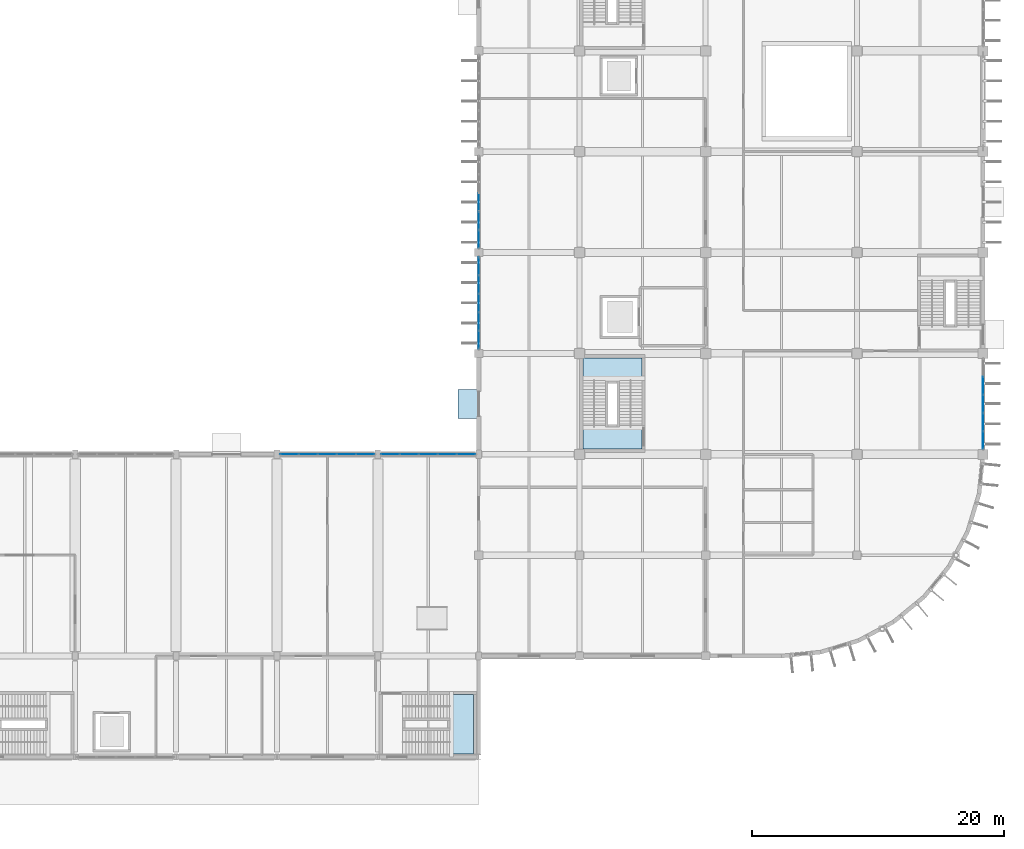
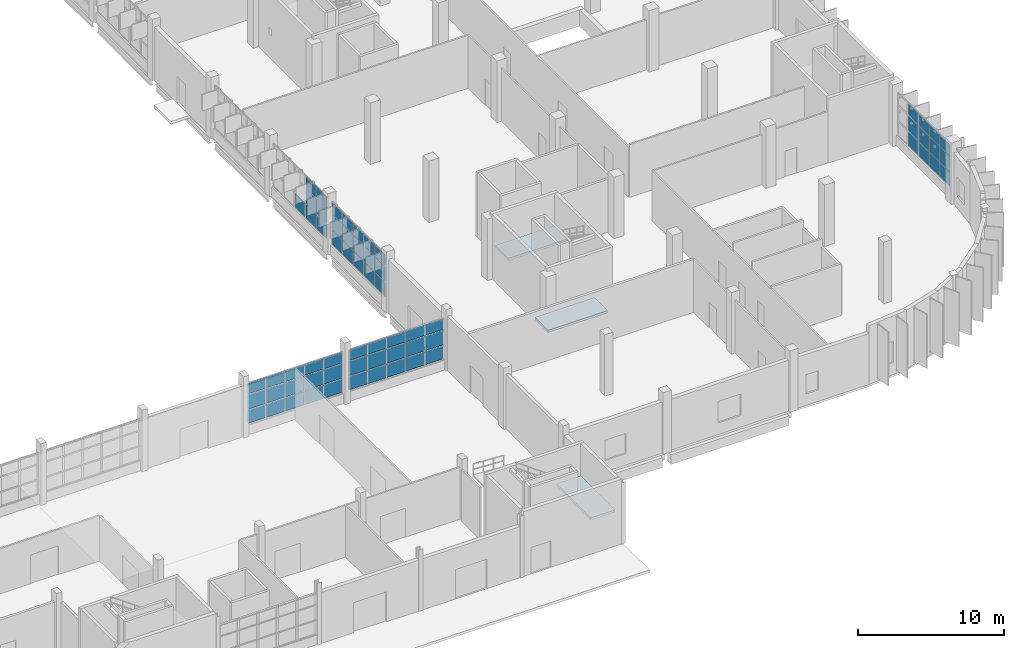
# One storey, part 62 of 103: 64 plates, 4 slabs, 7 elements without a shape of their own.
"""IFC4 building model written with IfcOpenShell, lengths in metres."""

import ifcopenshell
import ifcopenshell.guid

model = None  # the IFC model being written
_history = None  # IfcOwnerHistory: only IFC2X3 demands one
_inside = {}  # id of a spatial element -> (the spatial element, [elements in it])
_under = {}  # id of a project, library or spatial element -> (it, [spatial elements below it])
_declared = {}  # id of a project -> (the project, [libraries it declares])
_typed = {}  # id of a type object -> (the type object, [elements of that type])
_made_of = {}  # id of a material, layer set ... -> (it, [elements and type objects made of it])


def new_model(schema):
    """Start an empty IFC model of exactly this schema.

    Asked for "IFC4X3", IfcOpenShell would pick the latest addendum, in which some entities
    have other attributes; the version numbers below select the first issue.
    IFC2X3 requires an IfcOwnerHistory on every rooted entity: one is made here for all.
    """
    global model, _history
    if schema == "IFC4X3":
        model = ifcopenshell.file(schema_version=(4, 3, 0, 0))
    else:
        model = ifcopenshell.file(schema=schema)
    _inside.clear()
    _under.clear()
    _declared.clear()
    _typed.clear()
    _made_of.clear()
    _history = None
    if model.schema == "IFC2X3":
        org = make("IfcOrganization", Name="unknown")
        user = make(
            "IfcPersonAndOrganization",
            ThePerson=make("IfcPerson", FamilyName="unknown"),
            TheOrganization=org,
        )
        app = make(
            "IfcApplication",
            ApplicationDeveloper=org,
            Version="unknown",
            ApplicationFullName="unknown",
            ApplicationIdentifier="unknown",
        )
        _history = make(
            "IfcOwnerHistory",
            OwningUser=user,
            OwningApplication=app,
            ChangeAction="ADDED",
            CreationDate=0,
        )
    return model


def make(cls, **values):
    """One entity of the class cls with the attributes given. An attribute that is None is left unset."""
    return model.create_entity(
        cls, **{name: value for name, value in values.items() if value is not None}
    )


def rooted(cls, **values):
    """An entity with a GlobalId (a new one), such as an element, a storey or a relation."""
    return make(cls, GlobalId=ifcopenshell.guid.new(), OwnerHistory=_history, **values)


def si_unit(unit_type, name, prefix=None):
    """IfcSIUnit, for example si_unit("LENGTHUNIT", "METRE", prefix="MILLI")."""
    return make("IfcSIUnit", UnitType=unit_type, Prefix=prefix, Name=name)


def assignment(units):
    """IfcUnitAssignment: the units of a project."""
    return None if units is None else make("IfcUnitAssignment", Units=units)


def point(xyz):
    """IfcCartesianPoint."""
    return None if xyz is None else make("IfcCartesianPoint", Coordinates=xyz)


def direction(xyz):
    """IfcDirection."""
    return None if xyz is None else make("IfcDirection", DirectionRatios=xyz)


def frame(location, z_axis=None, x_axis=None):
    """IfcAxis2Placement3D, a coordinate frame: its origin and axes. An axis left out is left unset."""
    return make(
        "IfcAxis2Placement3D",
        Location=point(location),
        Axis=direction(z_axis),
        RefDirection=direction(x_axis),
    )


def frame_2d(location, x_axis=None):
    """IfcAxis2Placement2D, a coordinate frame in the plane: its origin and x axis."""
    return make(
        "IfcAxis2Placement2D", Location=point(location), RefDirection=direction(x_axis)
    )


def origin():
    """The frame at (0, 0, 0) with its axes left unset."""
    return frame((0.0, 0.0, 0.0))


def origin_2d():
    """The frame at (0, 0) in the plane with its x axis left unset."""
    return frame_2d((0.0, 0.0))


def place(relative_to, where):
    """IfcLocalPlacement: puts the frame where relative to a parent placement (None: the world)."""
    return make(
        "IfcLocalPlacement", PlacementRelTo=relative_to, RelativePlacement=where
    )


def context(
    kind, dimensions, precision=None, world=None, true_north=None, identifier=None
):
    """IfcGeometricRepresentationContext, for example the 3D "Model" context."""
    return make(
        "IfcGeometricRepresentationContext",
        ContextIdentifier=identifier,
        ContextType=kind,
        CoordinateSpaceDimension=dimensions,
        Precision=precision,
        WorldCoordinateSystem=world,
        TrueNorth=true_north,
    )


def subcontext(parent, identifier, kind, view, scale=None):
    """IfcGeometricRepresentationSubContext, for example "Body" below "Model"."""
    return make(
        "IfcGeometricRepresentationSubContext",
        ContextIdentifier=identifier,
        ContextType=kind,
        ParentContext=parent,
        TargetScale=scale,
        TargetView=view,
    )


def project(units=None, contexts=None):
    """IfcProject with its units and contexts."""
    return rooted(
        "IfcProject",
        Name="project",
        RepresentationContexts=contexts,
        UnitsInContext=assignment(units),
    )


def spatial(cls, under=None, at=None, **own):
    """A site, building, storey or space (cls), placed at a placement, below another one or the project."""
    s = rooted(cls, ObjectPlacement=at, **own)
    if under is not None:
        _under.setdefault(under.id(), (under, []))[1].append(s)
    return s


def polyline(points):
    """IfcPolyline through the points."""
    return make("IfcPolyline", Points=[point(p) for p in points])


def profile(cls, at=None, kind="AREA", **sizes):
    """A parametric profile (cls). Its sizes go by their IFC names, for example OverallWidth=200.0."""
    return make(cls, ProfileType=kind, Position=at, **sizes)


def rectangle(**sizes):
    """IfcRectangleProfileDef."""
    return profile("IfcRectangleProfileDef", **sizes)


def outline(outer, holes=None, kind="AREA"):
    """IfcArbitraryClosedProfileDef: a profile drawn as a closed curve; with holes, ...WithVoids."""
    if holes is None:
        return make("IfcArbitraryClosedProfileDef", ProfileType=kind, OuterCurve=outer)
    return make(
        "IfcArbitraryProfileDefWithVoids",
        ProfileType=kind,
        OuterCurve=outer,
        InnerCurves=holes,
    )


def extrude(swept, where, along, depth):
    """IfcExtrudedAreaSolid: the profile swept, set in the frame where, extruded along a direction by depth."""
    return make(
        "IfcExtrudedAreaSolid",
        SweptArea=swept,
        Position=where,
        ExtrudedDirection=direction(along),
        Depth=depth,
    )


def shape(context_of_items, identifier, shape_type, items):
    """IfcShapeRepresentation: the items that make up one representation, for example the "Body"."""
    return make(
        "IfcShapeRepresentation",
        ContextOfItems=context_of_items,
        RepresentationIdentifier=identifier,
        RepresentationType=shape_type,
        Items=items,
    )


def material(Name=None, Category=None):
    """IfcMaterial."""
    return make("IfcMaterial", Name=Name, Category=Category)


def layer(
    of_material, thickness, ventilated=None, Name=None, Category=None, Priority=None
):
    """IfcMaterialLayer: one layer of a wall or slab, of a material (None: an air gap)."""
    return make(
        "IfcMaterialLayer",
        Material=of_material,
        LayerThickness=thickness,
        IsVentilated=ventilated,
        Name=Name,
        Category=Category,
        Priority=Priority,
    )


def layer_set(layers, Name=None):
    """IfcMaterialLayerSet."""
    return make("IfcMaterialLayerSet", MaterialLayers=layers, LayerSetName=Name)


def made_of(thing, what):
    """Note that an element or type object is made of a material, layer set ...; save() writes the relation."""
    if what is not None:
        _made_of.setdefault(what.id(), (what, []))[1].append(thing)
    return thing


def type_object(cls, material=None, **own):
    """A type object (cls), such as IfcWallType, which elements share."""
    return made_of(rooted(cls, **own), material)


def element(
    cls,
    number,
    at=None,
    inside=None,
    cuts=None,
    type_object=None,
    material=None,
    context=None,
    identifier="Body",
    shape_type=None,
    held_by="IfcProductDefinitionShape",
    body=None,
    shapes=None,
    **own,
):
    """One element of the class cls, such as IfcWall. Its Tag is "e" and its number.

    at: its placement. inside: the storey or other place that contains it. cuts: it is an
    opening in that element (IfcRelVoidsElement). A single representation is given by context,
    identifier, shape_type and body (its items); several are given by shapes. held_by: the class
    of the entity that holds the representations. save() writes the other relations.
    """
    e = rooted(cls, Tag="e%d" % number, ObjectPlacement=at, **own)
    if body is not None:
        shapes = [shape(context, identifier, shape_type, body)]
    if shapes is not None:
        e.Representation = make(held_by, Representations=shapes)
    if inside is not None:
        _inside.setdefault(inside.id(), (inside, []))[1].append(e)
    if cuts is not None:
        rooted(
            "IfcRelVoidsElement", RelatingBuildingElement=cuts, RelatedOpeningElement=e
        )
    if type_object is not None:
        _typed.setdefault(type_object.id(), (type_object, []))[1].append(e)
    return made_of(e, material)


def aggregate(whole, parts):
    """IfcRelAggregates: a whole, such as a stair, and the parts it consists of."""
    return rooted("IfcRelAggregates", RelatingObject=whole, RelatedObjects=parts)


def save(model, path):
    """Write the relations noted so far, then the file.

    IfcRelAggregates (storeys below a building ...), IfcRelContainedInSpatialStructure (elements
    in a storey), IfcRelDefinesByType, IfcRelAssociatesMaterial and IfcRelDeclares: one each for
    every whole, place, type object, material and project.
    """
    for whole, parts in _under.values():
        aggregate(whole, parts)
    for where, things in _inside.values():
        rooted(
            "IfcRelContainedInSpatialStructure",
            RelatedElements=things,
            RelatingStructure=where,
        )
    for kind, things in _typed.values():
        rooted("IfcRelDefinesByType", RelatedObjects=things, RelatingType=kind)
    for what, things in _made_of.values():
        rooted("IfcRelAssociatesMaterial", RelatedObjects=things, RelatingMaterial=what)
    for by, libraries in _declared.values():
        rooted("IfcRelDeclares", RelatingContext=by, RelatedDefinitions=libraries)
    model.write(path)


model = new_model("IFC4")

# Units and contexts
model_context = context("Model", 3, precision=1e-05, world=origin(), true_north=direction((0.0, 1.0)))
body_context = subcontext(model_context, "Body", "Model", "MODEL_VIEW")
ifc_project = project(units=[si_unit("LENGTHUNIT", "METRE"), si_unit("AREAUNIT", "SQUARE_METRE"), si_unit("VOLUMEUNIT", "CUBIC_METRE"), si_unit("PLANEANGLEUNIT", "RADIAN"), si_unit("MASSUNIT", "GRAM", prefix="KILO")], contexts=[model_context])

# Site, building, storey
site_placement = place(None, origin())
site = spatial("IfcSite", under=ifc_project, at=site_placement, CompositionType="ELEMENT")
building_placement = place(site_placement, origin())
building = spatial("IfcBuilding", under=site, at=building_placement, Name="Drelvana Railside Aquatics Centre", CompositionType="ELEMENT")
storey_placement = place(building_placement, origin())
storey = spatial("IfcBuildingStorey", under=building, at=storey_placement, Name="L00", CompositionType="ELEMENT", Elevation=0.0)

# Curtain wall, plates
ifc_material_1 = material(Name="Bronze-anodised aluminium curtain wall", Category="aluminium")
ifc_layer_1 = layer(ifc_material_1, 0.1650390625, Name="Bronze-anodised aluminium curtain wall")
ifc_layer_set_1 = layer_set([ifc_layer_1], Name="Bronze-anodised aluminium curtain wall")
curtain_wall_type_1 = type_object("IfcCurtainWallType", Name="CW-Z5-COURT", PredefinedType="NOTDEFINED", material=ifc_layer_set_1)
curtain_wall_1_placement = place(storey_placement, origin())
curtain_wall_1 = element("IfcCurtainWall", 1, at=curtain_wall_1_placement, inside=storey, type_object=curtain_wall_type_1, Name="Curtain wall CW-05-111", PredefinedType="NOTDEFINED")
ifc_material_2 = material(Name="Double-glazed low-e solar-control glass", Category="glass")
ifc_layer_2 = layer(ifc_material_2, 0.02587890625, Name="Double-glazed low-e solar-control glass")
ifc_layer_set_2 = layer_set([ifc_layer_2], Name="Double-glazed low-e solar-control glass")
plate_type_1 = type_object("IfcPlateType", Name="CW-Z5-COURT-PAN", PredefinedType="CURTAIN_PANEL", material=ifc_layer_set_2)
plate_1_placement = place(storey_placement, frame((128.990234375, 24.0, 0.84912109375), z_axis=(0.0, 0.0, 1.0), x_axis=(1.0, 0.0, 0.0)))
plate_1 = element("IfcPlate", 2, at=plate_1_placement, type_object=plate_type_1, Name="CW-05 panel 1.1", PredefinedType="CURTAIN_PANEL", context=body_context, shape_type="SweptSolid", body=[
    extrude(rectangle(XDim=1.432373046875, YDim=0.02587890625, at=origin_2d()), origin(), (0.0, 0.0, 1.0), 1.1298828125),
])
plate_2_placement = place(storey_placement, frame((128.990234375, 24.0, 2.029052734375), z_axis=(0.0, 0.0, 1.0), x_axis=(1.0, 0.0, 0.0)))
plate_2 = element("IfcPlate", 3, at=plate_2_placement, type_object=plate_type_1, Name="CW-05 panel 1.2", PredefinedType="CURTAIN_PANEL", context=body_context, shape_type="SweptSolid", body=[
    extrude(rectangle(XDim=1.432373046875, YDim=0.02587890625, at=origin_2d()), origin(), (0.0, 0.0, 1.0), 1.22802734375),
])
plate_3_placement = place(storey_placement, frame((128.990234375, 24.0, 3.30712890625), z_axis=(0.0, 0.0, 1.0), x_axis=(1.0, 0.0, 0.0)))
plate_3 = element("IfcPlate", 4, at=plate_3_placement, type_object=plate_type_1, Name="CW-05 panel 1.3", PredefinedType="CURTAIN_PANEL", context=body_context, shape_type="SweptSolid", body=[
    extrude(rectangle(XDim=1.432373046875, YDim=0.02587890625, at=origin_2d()), origin(), (0.0, 0.0, 1.0), 0.887939453125),
])
plate_4_placement = place(storey_placement, frame((130.487548828125, 24.0, 0.84912109375), z_axis=(0.0, 0.0, 1.0), x_axis=(1.0, 0.0, 0.0)))
plate_4 = element("IfcPlate", 5, at=plate_4_placement, type_object=plate_type_1, Name="CW-05 panel 2.1", PredefinedType="CURTAIN_PANEL", context=body_context, shape_type="SweptSolid", body=[
    extrude(rectangle(XDim=1.46240234375, YDim=0.02587890625, at=origin_2d()), origin(), (0.0, 0.0, 1.0), 1.1298828125),
])
plate_5_placement = place(storey_placement, frame((130.487548828125, 24.0, 2.029052734375), z_axis=(0.0, 0.0, 1.0), x_axis=(1.0, 0.0, 0.0)))
plate_5 = element("IfcPlate", 6, at=plate_5_placement, type_object=plate_type_1, Name="CW-05 panel 2.2", PredefinedType="CURTAIN_PANEL", context=body_context, shape_type="SweptSolid", body=[
    extrude(rectangle(XDim=1.46240234375, YDim=0.02587890625, at=origin_2d()), origin(), (0.0, 0.0, 1.0), 1.22802734375),
])
plate_6_placement = place(storey_placement, frame((130.487548828125, 24.0, 3.30712890625), z_axis=(0.0, 0.0, 1.0), x_axis=(1.0, 0.0, 0.0)))
plate_6 = element("IfcPlate", 7, at=plate_6_placement, type_object=plate_type_1, Name="CW-05 panel 2.3", PredefinedType="CURTAIN_PANEL", context=body_context, shape_type="SweptSolid", body=[
    extrude(rectangle(XDim=1.46240234375, YDim=0.02587890625, at=origin_2d()), origin(), (0.0, 0.0, 1.0), 0.887939453125),
])
plate_7_placement = place(storey_placement, frame((132.0, 24.0, 0.84912109375), z_axis=(0.0, 0.0, 1.0), x_axis=(1.0, 0.0, 0.0)))
plate_7 = element("IfcPlate", 8, at=plate_7_placement, type_object=plate_type_1, Name="CW-05 panel 3.1", PredefinedType="CURTAIN_PANEL", context=body_context, shape_type="SweptSolid", body=[
    extrude(rectangle(XDim=1.46240234375, YDim=0.02587890625, at=origin_2d()), origin(), (0.0, 0.0, 1.0), 1.1298828125),
])
plate_8_placement = place(storey_placement, frame((132.0, 24.0, 2.029052734375), z_axis=(0.0, 0.0, 1.0), x_axis=(1.0, 0.0, 0.0)))
plate_8 = element("IfcPlate", 9, at=plate_8_placement, type_object=plate_type_1, Name="CW-05 panel 3.2", PredefinedType="CURTAIN_PANEL", context=body_context, shape_type="SweptSolid", body=[
    extrude(rectangle(XDim=1.46240234375, YDim=0.02587890625, at=origin_2d()), origin(), (0.0, 0.0, 1.0), 1.22802734375),
])
plate_9_placement = place(storey_placement, frame((132.0, 24.0, 3.30712890625), z_axis=(0.0, 0.0, 1.0), x_axis=(1.0, 0.0, 0.0)))
plate_9 = element("IfcPlate", 10, at=plate_9_placement, type_object=plate_type_1, Name="CW-05 panel 3.3", PredefinedType="CURTAIN_PANEL", context=body_context, shape_type="SweptSolid", body=[
    extrude(rectangle(XDim=1.46240234375, YDim=0.02587890625, at=origin_2d()), origin(), (0.0, 0.0, 1.0), 0.887939453125),
])
plate_10_placement = place(storey_placement, frame((133.512451171875, 24.0, 0.84912109375), z_axis=(0.0, 0.0, 1.0), x_axis=(1.0, 0.0, 0.0)))
plate_10 = element("IfcPlate", 11, at=plate_10_placement, type_object=plate_type_1, Name="CW-05 panel 4.1", PredefinedType="CURTAIN_PANEL", context=body_context, shape_type="SweptSolid", body=[
    extrude(rectangle(XDim=1.46240234375, YDim=0.02587890625, at=origin_2d()), origin(), (0.0, 0.0, 1.0), 1.1298828125),
])
plate_11_placement = place(storey_placement, frame((133.512451171875, 24.0, 2.029052734375), z_axis=(0.0, 0.0, 1.0), x_axis=(1.0, 0.0, 0.0)))
plate_11 = element("IfcPlate", 12, at=plate_11_placement, type_object=plate_type_1, Name="CW-05 panel 4.2", PredefinedType="CURTAIN_PANEL", context=body_context, shape_type="SweptSolid", body=[
    extrude(rectangle(XDim=1.46240234375, YDim=0.02587890625, at=origin_2d()), origin(), (0.0, 0.0, 1.0), 1.22802734375),
])
plate_12_placement = place(storey_placement, frame((133.512451171875, 24.0, 3.30712890625), z_axis=(0.0, 0.0, 1.0), x_axis=(1.0, 0.0, 0.0)))
plate_12 = element("IfcPlate", 13, at=plate_12_placement, type_object=plate_type_1, Name="CW-05 panel 4.3", PredefinedType="CURTAIN_PANEL", context=body_context, shape_type="SweptSolid", body=[
    extrude(rectangle(XDim=1.46240234375, YDim=0.02587890625, at=origin_2d()), origin(), (0.0, 0.0, 1.0), 0.887939453125),
])
plate_13_placement = place(storey_placement, frame((135.009765625, 24.0, 0.84912109375), z_axis=(0.0, 0.0, 1.0), x_axis=(1.0, 0.0, 0.0)))
plate_13 = element("IfcPlate", 14, at=plate_13_placement, type_object=plate_type_1, Name="CW-05 panel 5.1", PredefinedType="CURTAIN_PANEL", context=body_context, shape_type="SweptSolid", body=[
    extrude(rectangle(XDim=1.432373046875, YDim=0.02587890625, at=origin_2d()), origin(), (0.0, 0.0, 1.0), 1.1298828125),
])
plate_14_placement = place(storey_placement, frame((135.009765625, 24.0, 2.029052734375), z_axis=(0.0, 0.0, 1.0), x_axis=(1.0, 0.0, 0.0)))
plate_14 = element("IfcPlate", 15, at=plate_14_placement, type_object=plate_type_1, Name="CW-05 panel 5.2", PredefinedType="CURTAIN_PANEL", context=body_context, shape_type="SweptSolid", body=[
    extrude(rectangle(XDim=1.432373046875, YDim=0.02587890625, at=origin_2d()), origin(), (0.0, 0.0, 1.0), 1.22802734375),
])
plate_15_placement = place(storey_placement, frame((135.009765625, 24.0, 3.30712890625), z_axis=(0.0, 0.0, 1.0), x_axis=(1.0, 0.0, 0.0)))
plate_15 = element("IfcPlate", 16, at=plate_15_placement, type_object=plate_type_1, Name="CW-05 panel 5.3", PredefinedType="CURTAIN_PANEL", context=body_context, shape_type="SweptSolid", body=[
    extrude(rectangle(XDim=1.432373046875, YDim=0.02587890625, at=origin_2d()), origin(), (0.0, 0.0, 1.0), 0.887939453125),
])
aggregate(curtain_wall_1, [plate_1, plate_2, plate_3, plate_4, plate_5, plate_6, plate_7, plate_8, plate_9, plate_10, plate_11, plate_12, plate_13, plate_14, plate_15])

curtain_wall_2_placement = place(storey_placement, origin())
curtain_wall_2 = element("IfcCurtainWall", 17, at=curtain_wall_2_placement, inside=storey, type_object=curtain_wall_type_1, Name="Curtain wall CW-05-113", PredefinedType="NOTDEFINED")
plate_16_placement = place(storey_placement, frame((136.990234375, 24.0, 0.84912109375), z_axis=(0.0, 0.0, 1.0), x_axis=(1.0, 0.0, 0.0)))
plate_16 = element("IfcPlate", 18, at=plate_16_placement, type_object=plate_type_1, Name="CW-05 panel 1.1", PredefinedType="CURTAIN_PANEL", context=body_context, shape_type="SweptSolid", body=[
    extrude(rectangle(XDim=1.432373046875, YDim=0.02587890625, at=origin_2d()), origin(), (0.0, 0.0, 1.0), 1.1298828125),
])
plate_17_placement = place(storey_placement, frame((136.990234375, 24.0, 2.029052734375), z_axis=(0.0, 0.0, 1.0), x_axis=(1.0, 0.0, 0.0)))
plate_17 = element("IfcPlate", 19, at=plate_17_placement, type_object=plate_type_1, Name="CW-05 panel 1.2", PredefinedType="CURTAIN_PANEL", context=body_context, shape_type="SweptSolid", body=[
    extrude(rectangle(XDim=1.432373046875, YDim=0.02587890625, at=origin_2d()), origin(), (0.0, 0.0, 1.0), 1.22802734375),
])
plate_18_placement = place(storey_placement, frame((136.990234375, 24.0, 3.30712890625), z_axis=(0.0, 0.0, 1.0), x_axis=(1.0, 0.0, 0.0)))
plate_18 = element("IfcPlate", 20, at=plate_18_placement, type_object=plate_type_1, Name="CW-05 panel 1.3", PredefinedType="CURTAIN_PANEL", context=body_context, shape_type="SweptSolid", body=[
    extrude(rectangle(XDim=1.432373046875, YDim=0.02587890625, at=origin_2d()), origin(), (0.0, 0.0, 1.0), 0.887939453125),
])
plate_19_placement = place(storey_placement, frame((138.487548828125, 24.0, 0.84912109375), z_axis=(0.0, 0.0, 1.0), x_axis=(1.0, 0.0, 0.0)))
plate_19 = element("IfcPlate", 21, at=plate_19_placement, type_object=plate_type_1, Name="CW-05 panel 2.1", PredefinedType="CURTAIN_PANEL", context=body_context, shape_type="SweptSolid", body=[
    extrude(rectangle(XDim=1.46240234375, YDim=0.02587890625, at=origin_2d()), origin(), (0.0, 0.0, 1.0), 1.1298828125),
])
plate_20_placement = place(storey_placement, frame((138.487548828125, 24.0, 2.029052734375), z_axis=(0.0, 0.0, 1.0), x_axis=(1.0, 0.0, 0.0)))
plate_20 = element("IfcPlate", 22, at=plate_20_placement, type_object=plate_type_1, Name="CW-05 panel 2.2", PredefinedType="CURTAIN_PANEL", context=body_context, shape_type="SweptSolid", body=[
    extrude(rectangle(XDim=1.46240234375, YDim=0.02587890625, at=origin_2d()), origin(), (0.0, 0.0, 1.0), 1.22802734375),
])
plate_21_placement = place(storey_placement, frame((138.487548828125, 24.0, 3.30712890625), z_axis=(0.0, 0.0, 1.0), x_axis=(1.0, 0.0, 0.0)))
plate_21 = element("IfcPlate", 23, at=plate_21_placement, type_object=plate_type_1, Name="CW-05 panel 2.3", PredefinedType="CURTAIN_PANEL", context=body_context, shape_type="SweptSolid", body=[
    extrude(rectangle(XDim=1.46240234375, YDim=0.02587890625, at=origin_2d()), origin(), (0.0, 0.0, 1.0), 0.887939453125),
])
plate_22_placement = place(storey_placement, frame((140.0, 24.0, 0.84912109375), z_axis=(0.0, 0.0, 1.0), x_axis=(1.0, 0.0, 0.0)))
plate_22 = element("IfcPlate", 24, at=plate_22_placement, type_object=plate_type_1, Name="CW-05 panel 3.1", PredefinedType="CURTAIN_PANEL", context=body_context, shape_type="SweptSolid", body=[
    extrude(rectangle(XDim=1.46240234375, YDim=0.02587890625, at=origin_2d()), origin(), (0.0, 0.0, 1.0), 1.1298828125),
])
plate_23_placement = place(storey_placement, frame((140.0, 24.0, 2.029052734375), z_axis=(0.0, 0.0, 1.0), x_axis=(1.0, 0.0, 0.0)))
plate_23 = element("IfcPlate", 25, at=plate_23_placement, type_object=plate_type_1, Name="CW-05 panel 3.2", PredefinedType="CURTAIN_PANEL", context=body_context, shape_type="SweptSolid", body=[
    extrude(rectangle(XDim=1.46240234375, YDim=0.02587890625, at=origin_2d()), origin(), (0.0, 0.0, 1.0), 1.22802734375),
])
plate_24_placement = place(storey_placement, frame((140.0, 24.0, 3.30712890625), z_axis=(0.0, 0.0, 1.0), x_axis=(1.0, 0.0, 0.0)))
plate_24 = element("IfcPlate", 26, at=plate_24_placement, type_object=plate_type_1, Name="CW-05 panel 3.3", PredefinedType="CURTAIN_PANEL", context=body_context, shape_type="SweptSolid", body=[
    extrude(rectangle(XDim=1.46240234375, YDim=0.02587890625, at=origin_2d()), origin(), (0.0, 0.0, 1.0), 0.887939453125),
])
plate_25_placement = place(storey_placement, frame((141.512451171875, 24.0, 0.84912109375), z_axis=(0.0, 0.0, 1.0), x_axis=(1.0, 0.0, 0.0)))
plate_25 = element("IfcPlate", 27, at=plate_25_placement, type_object=plate_type_1, Name="CW-05 panel 4.1", PredefinedType="CURTAIN_PANEL", context=body_context, shape_type="SweptSolid", body=[
    extrude(rectangle(XDim=1.46240234375, YDim=0.02587890625, at=origin_2d()), origin(), (0.0, 0.0, 1.0), 1.1298828125),
])
plate_26_placement = place(storey_placement, frame((141.512451171875, 24.0, 2.029052734375), z_axis=(0.0, 0.0, 1.0), x_axis=(1.0, 0.0, 0.0)))
plate_26 = element("IfcPlate", 28, at=plate_26_placement, type_object=plate_type_1, Name="CW-05 panel 4.2", PredefinedType="CURTAIN_PANEL", context=body_context, shape_type="SweptSolid", body=[
    extrude(rectangle(XDim=1.46240234375, YDim=0.02587890625, at=origin_2d()), origin(), (0.0, 0.0, 1.0), 1.22802734375),
])
plate_27_placement = place(storey_placement, frame((141.512451171875, 24.0, 3.30712890625), z_axis=(0.0, 0.0, 1.0), x_axis=(1.0, 0.0, 0.0)))
plate_27 = element("IfcPlate", 29, at=plate_27_placement, type_object=plate_type_1, Name="CW-05 panel 4.3", PredefinedType="CURTAIN_PANEL", context=body_context, shape_type="SweptSolid", body=[
    extrude(rectangle(XDim=1.46240234375, YDim=0.02587890625, at=origin_2d()), origin(), (0.0, 0.0, 1.0), 0.887939453125),
])
plate_28_placement = place(storey_placement, frame((143.009765625, 24.0, 0.84912109375), z_axis=(0.0, 0.0, 1.0), x_axis=(1.0, 0.0, 0.0)))
plate_28 = element("IfcPlate", 30, at=plate_28_placement, type_object=plate_type_1, Name="CW-05 panel 5.1", PredefinedType="CURTAIN_PANEL", context=body_context, shape_type="SweptSolid", body=[
    extrude(rectangle(XDim=1.432373046875, YDim=0.02587890625, at=origin_2d()), origin(), (0.0, 0.0, 1.0), 1.1298828125),
])
plate_29_placement = place(storey_placement, frame((143.009765625, 24.0, 2.029052734375), z_axis=(0.0, 0.0, 1.0), x_axis=(1.0, 0.0, 0.0)))
plate_29 = element("IfcPlate", 31, at=plate_29_placement, type_object=plate_type_1, Name="CW-05 panel 5.2", PredefinedType="CURTAIN_PANEL", context=body_context, shape_type="SweptSolid", body=[
    extrude(rectangle(XDim=1.432373046875, YDim=0.02587890625, at=origin_2d()), origin(), (0.0, 0.0, 1.0), 1.22802734375),
])
plate_30_placement = place(storey_placement, frame((143.009765625, 24.0, 3.30712890625), z_axis=(0.0, 0.0, 1.0), x_axis=(1.0, 0.0, 0.0)))
plate_30 = element("IfcPlate", 32, at=plate_30_placement, type_object=plate_type_1, Name="CW-05 panel 5.3", PredefinedType="CURTAIN_PANEL", context=body_context, shape_type="SweptSolid", body=[
    extrude(rectangle(XDim=1.432373046875, YDim=0.02587890625, at=origin_2d()), origin(), (0.0, 0.0, 1.0), 0.887939453125),
])
aggregate(curtain_wall_2, [plate_16, plate_17, plate_18, plate_19, plate_20, plate_21, plate_22, plate_23, plate_24, plate_25, plate_26, plate_27, plate_28, plate_29, plate_30])

ifc_layer_3 = layer(ifc_material_1, 0.175048828125, Name="Bronze-anodised aluminium curtain wall")
ifc_layer_set_3 = layer_set([ifc_layer_3], Name="Bronze-anodised aluminium curtain wall")
curtain_wall_type_2 = type_object("IfcCurtainWallType", Name="CW-Z6-WING", PredefinedType="NOTDEFINED", material=ifc_layer_set_3)
curtain_wall_3_placement = place(storey_placement, origin())
curtain_wall_3 = element("IfcCurtainWall", 33, at=curtain_wall_3_placement, inside=storey, type_object=curtain_wall_type_2, Name="Curtain wall CW-06-140", PredefinedType="NOTDEFINED")
ifc_layer_4 = layer(ifc_material_2, 0.02392578125, Name="Double-glazed low-e solar-control glass")
ifc_layer_set_4 = layer_set([ifc_layer_4], Name="Double-glazed low-e solar-control glass")
plate_type_2 = type_object("IfcPlateType", Name="CW-Z6-WING-PAN", PredefinedType="CURTAIN_PANEL", material=ifc_layer_set_4)
plate_31_placement = place(storey_placement, frame((144.0, 33.071533203125, 0.84912109375), z_axis=(0.0, 0.0, 1.0), x_axis=(0.0, 1.0, 0.0)))
plate_31 = element("IfcPlate", 34, at=plate_31_placement, type_object=plate_type_2, Name="CW-06 panel 1.1", PredefinedType="CURTAIN_PANEL", context=body_context, shape_type="SweptSolid", body=[
    extrude(rectangle(XDim=1.385009765625, YDim=0.02392578125, at=origin_2d()), origin(), (0.0, 0.0, 1.0), 1.181884765625),
])
plate_32_placement = place(storey_placement, frame((144.0, 33.071533203125, 2.0810546875), z_axis=(0.0, 0.0, 1.0), x_axis=(0.0, 1.0, 0.0)))
plate_32 = element("IfcPlate", 35, at=plate_32_placement, type_object=plate_type_2, Name="CW-06 panel 1.2", PredefinedType="CURTAIN_PANEL", context=body_context, shape_type="SweptSolid", body=[
    extrude(rectangle(XDim=1.385009765625, YDim=0.02392578125, at=origin_2d()), origin(), (0.0, 0.0, 1.0), 1.283935546875),
])
plate_33_placement = place(storey_placement, frame((144.0, 33.071533203125, 3.4150390625), z_axis=(0.0, 0.0, 1.0), x_axis=(0.0, 1.0, 0.0)))
plate_33 = element("IfcPlate", 36, at=plate_33_placement, type_object=plate_type_2, Name="CW-06 panel 1.3", PredefinedType="CURTAIN_PANEL", context=body_context, shape_type="SweptSolid", body=[
    extrude(rectangle(XDim=1.385009765625, YDim=0.02392578125, at=origin_2d()), origin(), (0.0, 0.0, 1.0), 0.929931640625),
])
plate_34_placement = place(storey_placement, frame((144.0, 34.527587890625, 0.84912109375), z_axis=(0.0, 0.0, 1.0), x_axis=(0.0, 1.0, 0.0)))
plate_34 = element("IfcPlate", 37, at=plate_34_placement, type_object=plate_type_2, Name="CW-06 panel 2.1", PredefinedType="CURTAIN_PANEL", context=body_context, shape_type="SweptSolid", body=[
    extrude(rectangle(XDim=1.41748046875, YDim=0.02392578125, at=origin_2d()), origin(), (0.0, 0.0, 1.0), 1.181884765625),
])
plate_35_placement = place(storey_placement, frame((144.0, 34.527587890625, 2.0810546875), z_axis=(0.0, 0.0, 1.0), x_axis=(0.0, 1.0, 0.0)))
plate_35 = element("IfcPlate", 38, at=plate_35_placement, type_object=plate_type_2, Name="CW-06 panel 2.2", PredefinedType="CURTAIN_PANEL", context=body_context, shape_type="SweptSolid", body=[
    extrude(rectangle(XDim=1.41748046875, YDim=0.02392578125, at=origin_2d()), origin(), (0.0, 0.0, 1.0), 1.283935546875),
])
plate_36_placement = place(storey_placement, frame((144.0, 34.527587890625, 3.4150390625), z_axis=(0.0, 0.0, 1.0), x_axis=(0.0, 1.0, 0.0)))
plate_36 = element("IfcPlate", 39, at=plate_36_placement, type_object=plate_type_2, Name="CW-06 panel 2.3", PredefinedType="CURTAIN_PANEL", context=body_context, shape_type="SweptSolid", body=[
    extrude(rectangle(XDim=1.41748046875, YDim=0.02392578125, at=origin_2d()), origin(), (0.0, 0.0, 1.0), 0.929931640625),
])
plate_37_placement = place(storey_placement, frame((144.0, 36.0, 0.84912109375), z_axis=(0.0, 0.0, 1.0), x_axis=(0.0, 1.0, 0.0)))
plate_37 = element("IfcPlate", 40, at=plate_37_placement, type_object=plate_type_2, Name="CW-06 panel 3.1", PredefinedType="CURTAIN_PANEL", context=body_context, shape_type="SweptSolid", body=[
    extrude(rectangle(XDim=1.41748046875, YDim=0.02392578125, at=origin_2d()), origin(), (0.0, 0.0, 1.0), 1.181884765625),
])
plate_38_placement = place(storey_placement, frame((144.0, 36.0, 2.0810546875), z_axis=(0.0, 0.0, 1.0), x_axis=(0.0, 1.0, 0.0)))
plate_38 = element("IfcPlate", 41, at=plate_38_placement, type_object=plate_type_2, Name="CW-06 panel 3.2", PredefinedType="CURTAIN_PANEL", context=body_context, shape_type="SweptSolid", body=[
    extrude(rectangle(XDim=1.41748046875, YDim=0.02392578125, at=origin_2d()), origin(), (0.0, 0.0, 1.0), 1.283935546875),
])
plate_39_placement = place(storey_placement, frame((144.0, 36.0, 3.4150390625), z_axis=(0.0, 0.0, 1.0), x_axis=(0.0, 1.0, 0.0)))
plate_39 = element("IfcPlate", 42, at=plate_39_placement, type_object=plate_type_2, Name="CW-06 panel 3.3", PredefinedType="CURTAIN_PANEL", context=body_context, shape_type="SweptSolid", body=[
    extrude(rectangle(XDim=1.41748046875, YDim=0.02392578125, at=origin_2d()), origin(), (0.0, 0.0, 1.0), 0.929931640625),
])
plate_40_placement = place(storey_placement, frame((144.0, 37.472412109375, 0.84912109375), z_axis=(0.0, 0.0, 1.0), x_axis=(0.0, 1.0, 0.0)))
plate_40 = element("IfcPlate", 43, at=plate_40_placement, type_object=plate_type_2, Name="CW-06 panel 4.1", PredefinedType="CURTAIN_PANEL", context=body_context, shape_type="SweptSolid", body=[
    extrude(rectangle(XDim=1.41748046875, YDim=0.02392578125, at=origin_2d()), origin(), (0.0, 0.0, 1.0), 1.181884765625),
])
plate_41_placement = place(storey_placement, frame((144.0, 37.472412109375, 2.0810546875), z_axis=(0.0, 0.0, 1.0), x_axis=(0.0, 1.0, 0.0)))
plate_41 = element("IfcPlate", 44, at=plate_41_placement, type_object=plate_type_2, Name="CW-06 panel 4.2", PredefinedType="CURTAIN_PANEL", context=body_context, shape_type="SweptSolid", body=[
    extrude(rectangle(XDim=1.41748046875, YDim=0.02392578125, at=origin_2d()), origin(), (0.0, 0.0, 1.0), 1.283935546875),
])
plate_42_placement = place(storey_placement, frame((144.0, 37.472412109375, 3.4150390625), z_axis=(0.0, 0.0, 1.0), x_axis=(0.0, 1.0, 0.0)))
plate_42 = element("IfcPlate", 45, at=plate_42_placement, type_object=plate_type_2, Name="CW-06 panel 4.3", PredefinedType="CURTAIN_PANEL", context=body_context, shape_type="SweptSolid", body=[
    extrude(rectangle(XDim=1.41748046875, YDim=0.02392578125, at=origin_2d()), origin(), (0.0, 0.0, 1.0), 0.929931640625),
])
plate_43_placement = place(storey_placement, frame((144.0, 38.928466796875, 0.84912109375), z_axis=(0.0, 0.0, 1.0), x_axis=(0.0, 1.0, 0.0)))
plate_43 = element("IfcPlate", 46, at=plate_43_placement, type_object=plate_type_2, Name="CW-06 panel 5.1", PredefinedType="CURTAIN_PANEL", context=body_context, shape_type="SweptSolid", body=[
    extrude(rectangle(XDim=1.385009765625, YDim=0.02392578125, at=origin_2d()), origin(), (0.0, 0.0, 1.0), 1.181884765625),
])
plate_44_placement = place(storey_placement, frame((144.0, 38.928466796875, 2.0810546875), z_axis=(0.0, 0.0, 1.0), x_axis=(0.0, 1.0, 0.0)))
plate_44 = element("IfcPlate", 47, at=plate_44_placement, type_object=plate_type_2, Name="CW-06 panel 5.2", PredefinedType="CURTAIN_PANEL", context=body_context, shape_type="SweptSolid", body=[
    extrude(rectangle(XDim=1.385009765625, YDim=0.02392578125, at=origin_2d()), origin(), (0.0, 0.0, 1.0), 1.283935546875),
])
plate_45_placement = place(storey_placement, frame((144.0, 38.928466796875, 3.4150390625), z_axis=(0.0, 0.0, 1.0), x_axis=(0.0, 1.0, 0.0)))
plate_45 = element("IfcPlate", 48, at=plate_45_placement, type_object=plate_type_2, Name="CW-06 panel 5.3", PredefinedType="CURTAIN_PANEL", context=body_context, shape_type="SweptSolid", body=[
    extrude(rectangle(XDim=1.385009765625, YDim=0.02392578125, at=origin_2d()), origin(), (0.0, 0.0, 1.0), 0.929931640625),
])
aggregate(curtain_wall_3, [plate_31, plate_32, plate_33, plate_34, plate_35, plate_36, plate_37, plate_38, plate_39, plate_40, plate_41, plate_42, plate_43, plate_44, plate_45])

curtain_wall_4_placement = place(storey_placement, origin())
curtain_wall_4 = element("IfcCurtainWall", 49, at=curtain_wall_4_placement, inside=storey, type_object=curtain_wall_type_2, Name="Curtain wall CW-06-144", PredefinedType="NOTDEFINED")
plate_46_placement = place(storey_placement, frame((144.0, 41.071533203125, 0.84912109375), z_axis=(0.0, 0.0, 1.0), x_axis=(0.0, 1.0, 0.0)))
plate_46 = element("IfcPlate", 50, at=plate_46_placement, type_object=plate_type_2, Name="CW-06 panel 1.1", PredefinedType="CURTAIN_PANEL", context=body_context, shape_type="SweptSolid", body=[
    extrude(rectangle(XDim=1.385009765625, YDim=0.02392578125, at=origin_2d()), origin(), (0.0, 0.0, 1.0), 1.181884765625),
])
plate_47_placement = place(storey_placement, frame((144.0, 41.071533203125, 2.0810546875), z_axis=(0.0, 0.0, 1.0), x_axis=(0.0, 1.0, 0.0)))
plate_47 = element("IfcPlate", 51, at=plate_47_placement, type_object=plate_type_2, Name="CW-06 panel 1.2", PredefinedType="CURTAIN_PANEL", context=body_context, shape_type="SweptSolid", body=[
    extrude(rectangle(XDim=1.385009765625, YDim=0.02392578125, at=origin_2d()), origin(), (0.0, 0.0, 1.0), 1.283935546875),
])
plate_48_placement = place(storey_placement, frame((144.0, 41.071533203125, 3.4150390625), z_axis=(0.0, 0.0, 1.0), x_axis=(0.0, 1.0, 0.0)))
plate_48 = element("IfcPlate", 52, at=plate_48_placement, type_object=plate_type_2, Name="CW-06 panel 1.3", PredefinedType="CURTAIN_PANEL", context=body_context, shape_type="SweptSolid", body=[
    extrude(rectangle(XDim=1.385009765625, YDim=0.02392578125, at=origin_2d()), origin(), (0.0, 0.0, 1.0), 0.929931640625),
])
plate_49_placement = place(storey_placement, frame((144.0, 42.527587890625, 0.84912109375), z_axis=(0.0, 0.0, 1.0), x_axis=(0.0, 1.0, 0.0)))
plate_49 = element("IfcPlate", 53, at=plate_49_placement, type_object=plate_type_2, Name="CW-06 panel 2.1", PredefinedType="CURTAIN_PANEL", context=body_context, shape_type="SweptSolid", body=[
    extrude(rectangle(XDim=1.41748046875, YDim=0.02392578125, at=origin_2d()), origin(), (0.0, 0.0, 1.0), 1.181884765625),
])
plate_50_placement = place(storey_placement, frame((144.0, 42.527587890625, 2.0810546875), z_axis=(0.0, 0.0, 1.0), x_axis=(0.0, 1.0, 0.0)))
plate_50 = element("IfcPlate", 54, at=plate_50_placement, type_object=plate_type_2, Name="CW-06 panel 2.2", PredefinedType="CURTAIN_PANEL", context=body_context, shape_type="SweptSolid", body=[
    extrude(rectangle(XDim=1.41748046875, YDim=0.02392578125, at=origin_2d()), origin(), (0.0, 0.0, 1.0), 1.283935546875),
])
plate_51_placement = place(storey_placement, frame((144.0, 42.527587890625, 3.4150390625), z_axis=(0.0, 0.0, 1.0), x_axis=(0.0, 1.0, 0.0)))
plate_51 = element("IfcPlate", 55, at=plate_51_placement, type_object=plate_type_2, Name="CW-06 panel 2.3", PredefinedType="CURTAIN_PANEL", context=body_context, shape_type="SweptSolid", body=[
    extrude(rectangle(XDim=1.41748046875, YDim=0.02392578125, at=origin_2d()), origin(), (0.0, 0.0, 1.0), 0.929931640625),
])
plate_52_placement = place(storey_placement, frame((144.0, 44.0, 0.84912109375), z_axis=(0.0, 0.0, 1.0), x_axis=(0.0, 1.0, 0.0)))
plate_52 = element("IfcPlate", 56, at=plate_52_placement, type_object=plate_type_2, Name="CW-06 panel 3.1", PredefinedType="CURTAIN_PANEL", context=body_context, shape_type="SweptSolid", body=[
    extrude(rectangle(XDim=1.41748046875, YDim=0.02392578125, at=origin_2d()), origin(), (0.0, 0.0, 1.0), 1.181884765625),
])
aggregate(curtain_wall_4, [plate_46, plate_47, plate_48, plate_49, plate_50, plate_51, plate_52])

curtain_wall_5_placement = place(storey_placement, origin())
curtain_wall_5 = element("IfcCurtainWall", 57, at=curtain_wall_5_placement, inside=storey, type_object=curtain_wall_type_2, Name="Curtain wall CW-06-166", PredefinedType="NOTDEFINED")
plate_53_placement = place(storey_placement, frame((184.0, 25.13134765625, 0.84912109375), z_axis=(0.0, 0.0, 1.0), x_axis=(0.0, 1.0, 0.0)))
plate_53 = element("IfcPlate", 58, at=plate_53_placement, type_object=plate_type_2, Name="CW-06 panel 1.1", PredefinedType="CURTAIN_PANEL", context=body_context, shape_type="SweptSolid", body=[
    extrude(rectangle(XDim=1.35498046875, YDim=0.02392578125, at=origin_2d()), origin(), (0.0, 0.0, 1.0), 1.181884765625),
])
plate_54_placement = place(storey_placement, frame((184.0, 25.13134765625, 2.0810546875), z_axis=(0.0, 0.0, 1.0), x_axis=(0.0, 1.0, 0.0)))
plate_54 = element("IfcPlate", 59, at=plate_54_placement, type_object=plate_type_2, Name="CW-06 panel 1.2", PredefinedType="CURTAIN_PANEL", context=body_context, shape_type="SweptSolid", body=[
    extrude(rectangle(XDim=1.35498046875, YDim=0.02392578125, at=origin_2d()), origin(), (0.0, 0.0, 1.0), 1.283935546875),
])
plate_55_placement = place(storey_placement, frame((184.0, 25.13134765625, 3.4150390625), z_axis=(0.0, 0.0, 1.0), x_axis=(0.0, 1.0, 0.0)))
plate_55 = element("IfcPlate", 60, at=plate_55_placement, type_object=plate_type_2, Name="CW-06 panel 1.3", PredefinedType="CURTAIN_PANEL", context=body_context, shape_type="SweptSolid", body=[
    extrude(rectangle(XDim=1.35498046875, YDim=0.02392578125, at=origin_2d()), origin(), (0.0, 0.0, 1.0), 0.929931640625),
])
plate_56_placement = place(storey_placement, frame((184.0, 26.5576171875, 0.84912109375), z_axis=(0.0, 0.0, 1.0), x_axis=(0.0, 1.0, 0.0)))
plate_56 = element("IfcPlate", 61, at=plate_56_placement, type_object=plate_type_2, Name="CW-06 panel 2.1", PredefinedType="CURTAIN_PANEL", context=body_context, shape_type="SweptSolid", body=[
    extrude(rectangle(XDim=1.387451171875, YDim=0.02392578125, at=origin_2d()), origin(), (0.0, 0.0, 1.0), 1.181884765625),
])
plate_57_placement = place(storey_placement, frame((184.0, 26.5576171875, 2.0810546875), z_axis=(0.0, 0.0, 1.0), x_axis=(0.0, 1.0, 0.0)))
plate_57 = element("IfcPlate", 62, at=plate_57_placement, type_object=plate_type_2, Name="CW-06 panel 2.2", PredefinedType="CURTAIN_PANEL", context=body_context, shape_type="SweptSolid", body=[
    extrude(rectangle(XDim=1.387451171875, YDim=0.02392578125, at=origin_2d()), origin(), (0.0, 0.0, 1.0), 1.283935546875),
])
plate_58_placement = place(storey_placement, frame((184.0, 26.5576171875, 3.4150390625), z_axis=(0.0, 0.0, 1.0), x_axis=(0.0, 1.0, 0.0)))
plate_58 = element("IfcPlate", 63, at=plate_58_placement, type_object=plate_type_2, Name="CW-06 panel 2.3", PredefinedType="CURTAIN_PANEL", context=body_context, shape_type="SweptSolid", body=[
    extrude(rectangle(XDim=1.387451171875, YDim=0.02392578125, at=origin_2d()), origin(), (0.0, 0.0, 1.0), 0.929931640625),
])
plate_59_placement = place(storey_placement, frame((184.0, 28.0, 0.84912109375), z_axis=(0.0, 0.0, 1.0), x_axis=(0.0, 1.0, 0.0)))
plate_59 = element("IfcPlate", 64, at=plate_59_placement, type_object=plate_type_2, Name="CW-06 panel 3.1", PredefinedType="CURTAIN_PANEL", context=body_context, shape_type="SweptSolid", body=[
    extrude(rectangle(XDim=1.387451171875, YDim=0.02392578125, at=origin_2d()), origin(), (0.0, 0.0, 1.0), 1.181884765625),
])
plate_60_placement = place(storey_placement, frame((184.0, 28.0, 2.0810546875), z_axis=(0.0, 0.0, 1.0), x_axis=(0.0, 1.0, 0.0)))
plate_60 = element("IfcPlate", 65, at=plate_60_placement, type_object=plate_type_2, Name="CW-06 panel 3.2", PredefinedType="CURTAIN_PANEL", context=body_context, shape_type="SweptSolid", body=[
    extrude(rectangle(XDim=1.387451171875, YDim=0.02392578125, at=origin_2d()), origin(), (0.0, 0.0, 1.0), 1.283935546875),
])
plate_61_placement = place(storey_placement, frame((184.0, 28.0, 3.4150390625), z_axis=(0.0, 0.0, 1.0), x_axis=(0.0, 1.0, 0.0)))
plate_61 = element("IfcPlate", 66, at=plate_61_placement, type_object=plate_type_2, Name="CW-06 panel 3.3", PredefinedType="CURTAIN_PANEL", context=body_context, shape_type="SweptSolid", body=[
    extrude(rectangle(XDim=1.387451171875, YDim=0.02392578125, at=origin_2d()), origin(), (0.0, 0.0, 1.0), 0.929931640625),
])
plate_62_placement = place(storey_placement, frame((184.0, 29.4423828125, 0.84912109375), z_axis=(0.0, 0.0, 1.0), x_axis=(0.0, 1.0, 0.0)))
plate_62 = element("IfcPlate", 67, at=plate_62_placement, type_object=plate_type_2, Name="CW-06 panel 4.1", PredefinedType="CURTAIN_PANEL", context=body_context, shape_type="SweptSolid", body=[
    extrude(rectangle(XDim=1.387451171875, YDim=0.02392578125, at=origin_2d()), origin(), (0.0, 0.0, 1.0), 1.181884765625),
])
plate_63_placement = place(storey_placement, frame((184.0, 29.4423828125, 2.0810546875), z_axis=(0.0, 0.0, 1.0), x_axis=(0.0, 1.0, 0.0)))
plate_63 = element("IfcPlate", 68, at=plate_63_placement, type_object=plate_type_2, Name="CW-06 panel 4.2", PredefinedType="CURTAIN_PANEL", context=body_context, shape_type="SweptSolid", body=[
    extrude(rectangle(XDim=1.387451171875, YDim=0.02392578125, at=origin_2d()), origin(), (0.0, 0.0, 1.0), 1.283935546875),
])
plate_64_placement = place(storey_placement, frame((184.0, 29.4423828125, 3.4150390625), z_axis=(0.0, 0.0, 1.0), x_axis=(0.0, 1.0, 0.0)))
plate_64 = element("IfcPlate", 69, at=plate_64_placement, type_object=plate_type_2, Name="CW-06 panel 4.3", PredefinedType="CURTAIN_PANEL", context=body_context, shape_type="SweptSolid", body=[
    extrude(rectangle(XDim=1.387451171875, YDim=0.02392578125, at=origin_2d()), origin(), (0.0, 0.0, 1.0), 0.929931640625),
])
aggregate(curtain_wall_5, [plate_53, plate_54, plate_55, plate_56, plate_57, plate_58, plate_59, plate_60, plate_61, plate_62, plate_63, plate_64])

# Slab
ifc_material_3 = material(Name="Concrete C40/50", Category="concrete")
ifc_layer_5 = layer(ifc_material_3, 0.199951171875, Name="Concrete C40/50")
ifc_layer_set_5 = layer_set([ifc_layer_5], Name="Concrete C40/50")
slab_type_1 = type_object("IfcSlabType", Name="SL-LAND-200", PredefinedType="LANDING", material=ifc_layer_set_5)
slab_1_placement = place(storey_placement, frame((0.0, 0.0, -0.199951171875)))
element("IfcSlab", 70, at=slab_1_placement, inside=storey, type_object=slab_type_1, Name="Stair ST-06 L00 floor landing", PredefinedType="LANDING", context=body_context, shape_type="SweptSolid", body=[
    extrude(outline(polyline([(152.25, 24.409912109375), (156.949951171875, 24.409912109375), (156.949951171875, 26.2099609375), (152.25, 26.2099609375), (152.25, 24.409912109375)])), origin(), (0.0, 0.0, 1.0), 0.199951171875),
])

# Stair, slab
stair_type = type_object("IfcStairType", Name="ST-CORE-L00", PredefinedType="HALF_TURN_STAIR", material=ifc_material_3)
stair_1_placement = place(storey_placement, origin())
stair_1 = element("IfcStair", 71, at=stair_1_placement, inside=storey, type_object=stair_type, Name="Exit stair ST-06 (L00 to L01)", PredefinedType="HALF_TURN_STAIR")
slab_2_placement = place(storey_placement, frame((0.0, 0.0, 2.5)))
slab_2 = element("IfcSlab", 72, at=slab_2_placement, type_object=slab_type_1, Name="ST-L0 landing 1", PredefinedType="LANDING", context=body_context, shape_type="SweptSolid", body=[
    extrude(outline(polyline([(152.25, 29.840087890625), (156.949951171875, 29.840087890625), (156.949951171875, 31.64990234375), (152.25, 31.64990234375), (152.25, 29.840087890625)])), origin(), (0.0, 0.0, 1.0), 0.199951171875),
])
aggregate(stair_1, [slab_2])

stair_2_placement = place(storey_placement, origin())
stair_2 = element("IfcStair", 73, at=stair_2_placement, inside=storey, type_object=stair_type, Name="Exit stair ST-10 (L00 to L01)", PredefinedType="HALF_TURN_STAIR")
slab_3_placement = place(storey_placement, frame((0.0, 0.0, 2.5)))
slab_3 = element("IfcSlab", 74, at=slab_3_placement, type_object=slab_type_1, Name="ST-L0 landing 1", PredefinedType="LANDING", context=body_context, shape_type="SweptSolid", body=[
    extrude(outline(polyline([(141.659912109375, 0.25), (143.590087890625, 0.25), (143.590087890625, 4.949951171875), (141.659912109375, 4.949951171875), (141.659912109375, 0.25)])), origin(), (0.0, 0.0, 1.0), 0.199951171875),
])
aggregate(stair_2, [slab_3])

# Slab
ifc_material_4 = material(Name="Precast concrete C40/50", Category="concrete")
ifc_layer_6 = layer(ifc_material_4, 0.2099609375, Name="Precast concrete C40/50")
ifc_layer_set_6 = layer_set([ifc_layer_6], Name="Precast concrete C40/50")
slab_type_2 = type_object("IfcSlabType", Name="SL-PAV-210", PredefinedType="BASESLAB", material=ifc_layer_set_6)
slab_4_placement = place(storey_placement, frame((0.0, 0.0, -0.2099609375)))
element("IfcSlab", 75, at=slab_4_placement, inside=storey, type_object=slab_type_2, Name="Exterior threshold landing apron 018", PredefinedType="BASESLAB", context=body_context, shape_type="SweptSolid", body=[
    extrude(outline(polyline([(142.344970703125, 26.85009765625), (143.9951171875, 26.85009765625), (143.9951171875, 29.14990234375), (142.344970703125, 29.14990234375), (142.344970703125, 26.85009765625)])), origin(), (0.0, 0.0, 1.0), 0.2099609375),
])

save(model, "model.ifc")
